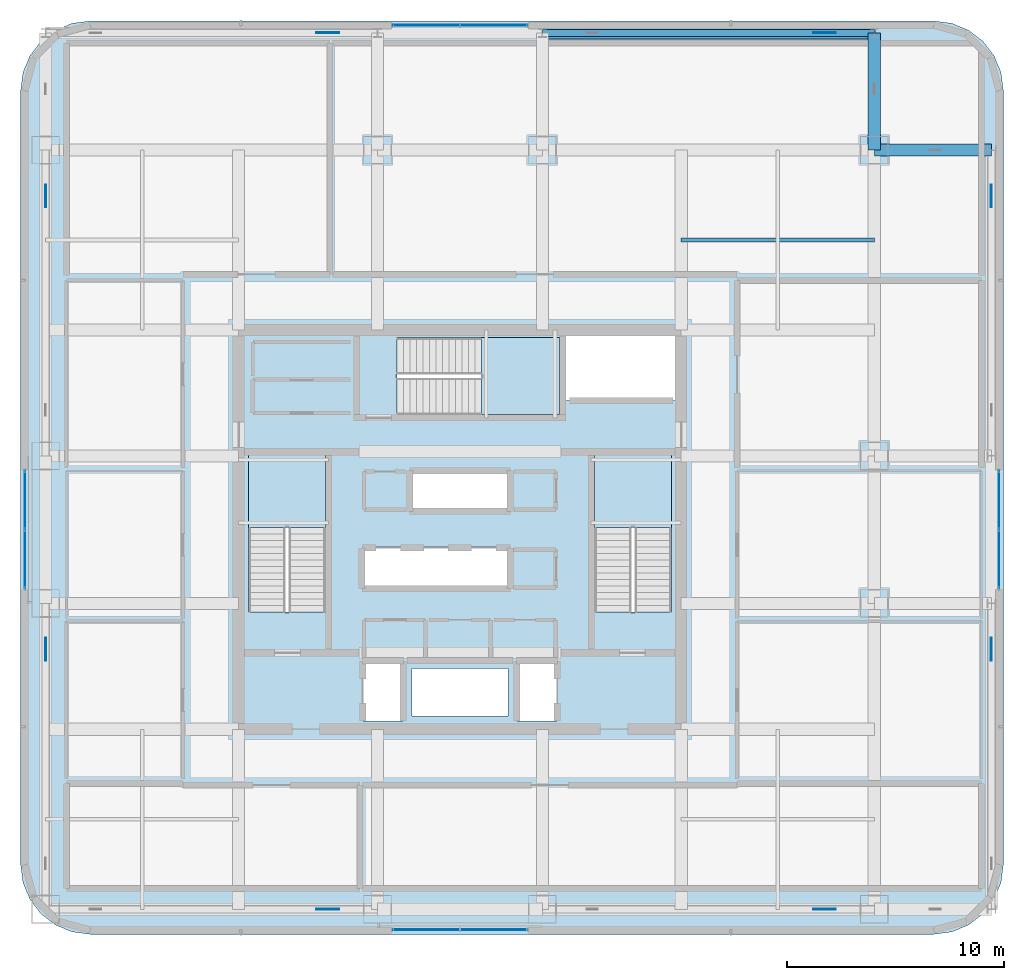
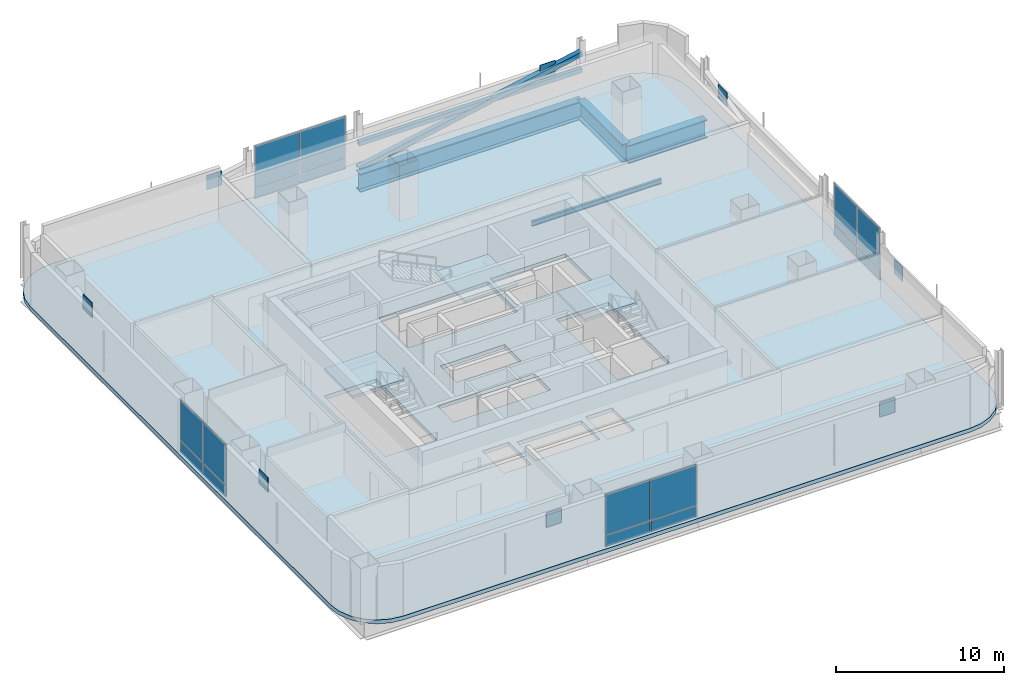
# One storey, part 12 of 30: 24 plates, 4 beams, 4 slabs, 2 members, 7 elements without a shape of their own.
"""IFC4 building model written with IfcOpenShell, lengths in metres."""

import ifcopenshell
import ifcopenshell.guid

model = None  # the IFC model being written
_history = None  # IfcOwnerHistory: only IFC2X3 demands one
_inside = {}  # id of a spatial element -> (the spatial element, [elements in it])
_under = {}  # id of a project, library or spatial element -> (it, [spatial elements below it])
_declared = {}  # id of a project -> (the project, [libraries it declares])
_typed = {}  # id of a type object -> (the type object, [elements of that type])
_made_of = {}  # id of a material, layer set ... -> (it, [elements and type objects made of it])


def new_model(schema):
    """Start an empty IFC model of exactly this schema.

    Asked for "IFC4X3", IfcOpenShell would pick the latest addendum, in which some entities
    have other attributes; the version numbers below select the first issue.
    IFC2X3 requires an IfcOwnerHistory on every rooted entity: one is made here for all.
    """
    global model, _history
    if schema == "IFC4X3":
        model = ifcopenshell.file(schema_version=(4, 3, 0, 0))
    else:
        model = ifcopenshell.file(schema=schema)
    _inside.clear()
    _under.clear()
    _declared.clear()
    _typed.clear()
    _made_of.clear()
    _history = None
    if model.schema == "IFC2X3":
        org = make("IfcOrganization", Name="unknown")
        user = make(
            "IfcPersonAndOrganization",
            ThePerson=make("IfcPerson", FamilyName="unknown"),
            TheOrganization=org,
        )
        app = make(
            "IfcApplication",
            ApplicationDeveloper=org,
            Version="unknown",
            ApplicationFullName="unknown",
            ApplicationIdentifier="unknown",
        )
        _history = make(
            "IfcOwnerHistory",
            OwningUser=user,
            OwningApplication=app,
            ChangeAction="ADDED",
            CreationDate=0,
        )
    return model


def make(cls, **values):
    """One entity of the class cls with the attributes given. An attribute that is None is left unset."""
    return model.create_entity(
        cls, **{name: value for name, value in values.items() if value is not None}
    )


def rooted(cls, **values):
    """An entity with a GlobalId (a new one), such as an element, a storey or a relation."""
    return make(cls, GlobalId=ifcopenshell.guid.new(), OwnerHistory=_history, **values)


def si_unit(unit_type, name, prefix=None):
    """IfcSIUnit, for example si_unit("LENGTHUNIT", "METRE", prefix="MILLI")."""
    return make("IfcSIUnit", UnitType=unit_type, Prefix=prefix, Name=name)


def assignment(units):
    """IfcUnitAssignment: the units of a project."""
    return None if units is None else make("IfcUnitAssignment", Units=units)


def point(xyz):
    """IfcCartesianPoint."""
    return None if xyz is None else make("IfcCartesianPoint", Coordinates=xyz)


def direction(xyz):
    """IfcDirection."""
    return None if xyz is None else make("IfcDirection", DirectionRatios=xyz)


def frame(location, z_axis=None, x_axis=None):
    """IfcAxis2Placement3D, a coordinate frame: its origin and axes. An axis left out is left unset."""
    return make(
        "IfcAxis2Placement3D",
        Location=point(location),
        Axis=direction(z_axis),
        RefDirection=direction(x_axis),
    )


def frame_2d(location, x_axis=None):
    """IfcAxis2Placement2D, a coordinate frame in the plane: its origin and x axis."""
    return make(
        "IfcAxis2Placement2D", Location=point(location), RefDirection=direction(x_axis)
    )


def origin():
    """The frame at (0, 0, 0) with its axes left unset."""
    return frame((0.0, 0.0, 0.0))


def origin_2d():
    """The frame at (0, 0) in the plane with its x axis left unset."""
    return frame_2d((0.0, 0.0))


def place(relative_to, where):
    """IfcLocalPlacement: puts the frame where relative to a parent placement (None: the world)."""
    return make(
        "IfcLocalPlacement", PlacementRelTo=relative_to, RelativePlacement=where
    )


def context(
    kind, dimensions, precision=None, world=None, true_north=None, identifier=None
):
    """IfcGeometricRepresentationContext, for example the 3D "Model" context."""
    return make(
        "IfcGeometricRepresentationContext",
        ContextIdentifier=identifier,
        ContextType=kind,
        CoordinateSpaceDimension=dimensions,
        Precision=precision,
        WorldCoordinateSystem=world,
        TrueNorth=true_north,
    )


def subcontext(parent, identifier, kind, view, scale=None):
    """IfcGeometricRepresentationSubContext, for example "Body" below "Model"."""
    return make(
        "IfcGeometricRepresentationSubContext",
        ContextIdentifier=identifier,
        ContextType=kind,
        ParentContext=parent,
        TargetScale=scale,
        TargetView=view,
    )


def project(units=None, contexts=None):
    """IfcProject with its units and contexts."""
    return rooted(
        "IfcProject",
        Name="project",
        RepresentationContexts=contexts,
        UnitsInContext=assignment(units),
    )


def spatial(cls, under=None, at=None, **own):
    """A site, building, storey or space (cls), placed at a placement, below another one or the project."""
    s = rooted(cls, ObjectPlacement=at, **own)
    if under is not None:
        _under.setdefault(under.id(), (under, []))[1].append(s)
    return s


def polyline(points):
    """IfcPolyline through the points."""
    return make("IfcPolyline", Points=[point(p) for p in points])


def profile(cls, at=None, kind="AREA", **sizes):
    """A parametric profile (cls). Its sizes go by their IFC names, for example OverallWidth=200.0."""
    return make(cls, ProfileType=kind, Position=at, **sizes)


def rectangle(**sizes):
    """IfcRectangleProfileDef."""
    return profile("IfcRectangleProfileDef", **sizes)


def hollow_rectangle(**sizes):
    """IfcRectangleHollowProfileDef."""
    return profile("IfcRectangleHollowProfileDef", **sizes)


def i_section(**sizes):
    """IfcIShapeProfileDef."""
    return profile("IfcIShapeProfileDef", **sizes)


def outline(outer, holes=None, kind="AREA"):
    """IfcArbitraryClosedProfileDef: a profile drawn as a closed curve; with holes, ...WithVoids."""
    if holes is None:
        return make("IfcArbitraryClosedProfileDef", ProfileType=kind, OuterCurve=outer)
    return make(
        "IfcArbitraryProfileDefWithVoids",
        ProfileType=kind,
        OuterCurve=outer,
        InnerCurves=holes,
    )


def extrude(swept, where, along, depth):
    """IfcExtrudedAreaSolid: the profile swept, set in the frame where, extruded along a direction by depth."""
    return make(
        "IfcExtrudedAreaSolid",
        SweptArea=swept,
        Position=where,
        ExtrudedDirection=direction(along),
        Depth=depth,
    )


def shape(context_of_items, identifier, shape_type, items):
    """IfcShapeRepresentation: the items that make up one representation, for example the "Body"."""
    return make(
        "IfcShapeRepresentation",
        ContextOfItems=context_of_items,
        RepresentationIdentifier=identifier,
        RepresentationType=shape_type,
        Items=items,
    )


def material(Name=None, Category=None):
    """IfcMaterial."""
    return make("IfcMaterial", Name=Name, Category=Category)


def layer(
    of_material, thickness, ventilated=None, Name=None, Category=None, Priority=None
):
    """IfcMaterialLayer: one layer of a wall or slab, of a material (None: an air gap)."""
    return make(
        "IfcMaterialLayer",
        Material=of_material,
        LayerThickness=thickness,
        IsVentilated=ventilated,
        Name=Name,
        Category=Category,
        Priority=Priority,
    )


def layer_set(layers, Name=None):
    """IfcMaterialLayerSet."""
    return make("IfcMaterialLayerSet", MaterialLayers=layers, LayerSetName=Name)


def material_profile(
    of_material, cross_section, Name=None, Category=None, Priority=None
):
    """IfcMaterialProfile: a cross section and its material."""
    return make(
        "IfcMaterialProfile",
        Name=Name,
        Material=of_material,
        Profile=cross_section,
        Priority=Priority,
        Category=Category,
    )


def profile_set(profiles, Name=None, composite=None):
    """IfcMaterialProfileSet."""
    return make(
        "IfcMaterialProfileSet",
        Name=Name,
        MaterialProfiles=profiles,
        CompositeProfile=composite,
    )


def made_of(thing, what):
    """Note that an element or type object is made of a material, layer set ...; save() writes the relation."""
    if what is not None:
        _made_of.setdefault(what.id(), (what, []))[1].append(thing)
    return thing


def type_object(cls, material=None, **own):
    """A type object (cls), such as IfcWallType, which elements share."""
    return made_of(rooted(cls, **own), material)


def element(
    cls,
    number,
    at=None,
    inside=None,
    cuts=None,
    type_object=None,
    material=None,
    context=None,
    identifier="Body",
    shape_type=None,
    held_by="IfcProductDefinitionShape",
    body=None,
    shapes=None,
    **own,
):
    """One element of the class cls, such as IfcWall. Its Tag is "e" and its number.

    at: its placement. inside: the storey or other place that contains it. cuts: it is an
    opening in that element (IfcRelVoidsElement). A single representation is given by context,
    identifier, shape_type and body (its items); several are given by shapes. held_by: the class
    of the entity that holds the representations. save() writes the other relations.
    """
    e = rooted(cls, Tag="e%d" % number, ObjectPlacement=at, **own)
    if body is not None:
        shapes = [shape(context, identifier, shape_type, body)]
    if shapes is not None:
        e.Representation = make(held_by, Representations=shapes)
    if inside is not None:
        _inside.setdefault(inside.id(), (inside, []))[1].append(e)
    if cuts is not None:
        rooted(
            "IfcRelVoidsElement", RelatingBuildingElement=cuts, RelatedOpeningElement=e
        )
    if type_object is not None:
        _typed.setdefault(type_object.id(), (type_object, []))[1].append(e)
    return made_of(e, material)


def aggregate(whole, parts):
    """IfcRelAggregates: a whole, such as a stair, and the parts it consists of."""
    return rooted("IfcRelAggregates", RelatingObject=whole, RelatedObjects=parts)


def save(model, path):
    """Write the relations noted so far, then the file.

    IfcRelAggregates (storeys below a building ...), IfcRelContainedInSpatialStructure (elements
    in a storey), IfcRelDefinesByType, IfcRelAssociatesMaterial and IfcRelDeclares: one each for
    every whole, place, type object, material and project.
    """
    for whole, parts in _under.values():
        aggregate(whole, parts)
    for where, things in _inside.values():
        rooted(
            "IfcRelContainedInSpatialStructure",
            RelatedElements=things,
            RelatingStructure=where,
        )
    for kind, things in _typed.values():
        rooted("IfcRelDefinesByType", RelatedObjects=things, RelatingType=kind)
    for what, things in _made_of.values():
        rooted("IfcRelAssociatesMaterial", RelatedObjects=things, RelatingMaterial=what)
    for by, libraries in _declared.values():
        rooted("IfcRelDeclares", RelatingContext=by, RelatedDefinitions=libraries)
    model.write(path)


model = new_model("IFC4")

# Units and contexts
model_context = context("Model", 3, precision=1e-05, world=origin(), true_north=direction((0.0, 1.0)))
body_context = subcontext(model_context, "Body", "Model", "MODEL_VIEW")
ifc_project = project(units=[si_unit("LENGTHUNIT", "METRE"), si_unit("AREAUNIT", "SQUARE_METRE"), si_unit("VOLUMEUNIT", "CUBIC_METRE"), si_unit("PLANEANGLEUNIT", "RADIAN"), si_unit("MASSUNIT", "GRAM", prefix="KILO")], contexts=[model_context])

# Site, building, storey
site_placement = place(None, origin())
site = spatial("IfcSite", under=ifc_project, at=site_placement, CompositionType="ELEMENT")
building_placement = place(site_placement, origin())
building = spatial("IfcBuilding", under=site, at=building_placement, Name="Punatoya Terracotta Tower", CompositionType="ELEMENT")
storey_placement = place(building_placement, frame((0.0, 0.0, 251.39990234375)))
storey = spatial("IfcBuildingStorey", under=building, at=storey_placement, Name="L59", CompositionType="ELEMENT", Elevation=251.39990234375)

# Beams
ifc_material_1 = material(Name="Steel S355", Category="steel")
ifc_material_profile_1 = material_profile(ifc_material_1, i_section(OverallWidth=0.169921875, OverallDepth=0.360107421875, WebThickness=0.008056640625, FlangeThickness=0.0126953125, FilletRadius=0.01806640625, at=origin_2d()))
ifc_profile_set_1 = profile_set([ifc_material_profile_1], Name="Steel S355")
beam_type_1 = type_object("IfcBeamType", Name="BM-SEC-360", PredefinedType="JOIST", material=ifc_profile_set_1)
beam_1_placement = place(storey_placement, frame((10.199951171875, 13.35009765625, -0.4599609375), z_axis=(1.0, 0.0, 0.0), x_axis=(0.0, 1.0, 0.0)))
element("IfcBeam", 1, at=beam_1_placement, inside=storey, type_object=beam_type_1, Name="BM-L59-SJN-2", PredefinedType="JOIST", context=body_context, shape_type="SweptSolid", body=[
    extrude(i_section(OverallWidth=0.169921875, OverallDepth=0.360107421875, WebThickness=0.008056640625, FlangeThickness=0.0126953125, FilletRadius=0.01806640625, at=origin_2d()), origin(), (0.0, 0.0, 1.0), 8.900146484375),
])
ifc_material_2 = material(Name="Steel S460", Category="steel")
ifc_material_profile_2 = material_profile(ifc_material_2, i_section(OverallWidth=0.56005859375, OverallDepth=1.320068359375, WebThickness=0.035888671875, FlangeThickness=0.054931640625, FilletRadius=0.01806640625, at=origin_2d()))
ifc_profile_set_2 = profile_set([ifc_material_profile_2], Name="Steel S460")
beam_type_2 = type_object("IfcBeamType", Name="BM-TG-BLK", PredefinedType="BEAM", material=ifc_profile_set_2)
for number, where, z_axis, x_axis, name in (
    (2, (19.10009765625, 17.5, -0.93994140625), (1.0, 0.0, 0.0), (0.0, 1.0, 0.0), "BM-L59-CANT-E4"),
    (3, (19.10009765625, 17.5, -0.93994140625), (0.0, 1.0, 0.0), (-1.0, 0.0, 0.0), "BM-L59-CANT-N4"),
):
    element("IfcBeam", number, at=place(storey_placement, frame(where, z_axis=z_axis, x_axis=x_axis)), inside=storey, type_object=beam_type_2, Name=name, PredefinedType="BEAM", context=body_context, shape_type="SweptSolid", body=[
        extrude(i_section(OverallWidth=0.56005859375, OverallDepth=1.320068359375, WebThickness=0.035888671875, FlangeThickness=0.054931640625, FilletRadius=0.01806640625, at=origin_2d()), origin(), (0.0, 0.0, 1.0), 5.39990234375),
    ])
beam_2_placement = place(storey_placement, frame((3.800048828125, 22.89990234375, -0.93994140625), z_axis=(1.0, 0.0, 0.0), x_axis=(0.0, 1.0, 0.0)))
element("IfcBeam", 4, at=beam_2_placement, inside=storey, type_object=beam_type_2, Name="BM-L59-PER-N3", PredefinedType="BEAM", context=body_context, shape_type="SweptSolid", body=[
    extrude(i_section(OverallWidth=0.56005859375, OverallDepth=1.320068359375, WebThickness=0.035888671875, FlangeThickness=0.054931640625, FilletRadius=0.01806640625, at=origin_2d()), origin(), (0.0, 0.0, 1.0), 15.300048828125),
])

# Members
ifc_material_profile_3 = material_profile(ifc_material_2, hollow_rectangle(XDim=0.320068359375, YDim=0.320068359375, WallThickness=0.01806640625, at=origin_2d()))
ifc_profile_set_3 = profile_set([ifc_material_profile_3], Name="Steel S460")
member_type_1 = type_object("IfcMemberType", Name="MEM-CHD-320", PredefinedType="CHORD", material=ifc_profile_set_3)
member_1_placement = place(storey_placement, frame((3.800048828125, 22.89990234375, 1.85009765625), z_axis=(1.0, 0.0, 0.0), x_axis=(0.0, 1.0, 0.0)))
element("IfcMember", 5, at=member_1_placement, inside=storey, type_object=member_type_1, Name="L59 Exoskeleton Belt Truss Tie Chord N3", PredefinedType="CHORD", context=body_context, shape_type="SweptSolid", body=[
    extrude(hollow_rectangle(XDim=0.320068359375, YDim=0.320068359375, WallThickness=0.01806640625, at=origin_2d()), origin(), (0.0, 0.0, 1.0), 15.300048828125),
])
ifc_material_profile_4 = material_profile(ifc_material_2, hollow_rectangle(XDim=0.35009765625, YDim=0.35009765625, WallThickness=0.01806640625, at=origin_2d()))
ifc_profile_set_4 = profile_set([ifc_material_profile_4], Name="Steel S460")
member_type_2 = type_object("IfcMemberType", Name="MEM-EXO-350", PredefinedType="BRACE", material=ifc_profile_set_4)
member_2_placement = place(storey_placement, frame((3.800048828125, 22.89990234375, 0.02001953125), z_axis=(0.980948581988, 0.0, 0.194267546172), x_axis=(0.0, 1.0, 0.0)))
element("IfcMember", 6, at=member_2_placement, inside=storey, type_object=member_type_2, Name="L59 Exoskeleton Belt Brace N3", PredefinedType="BRACE", context=body_context, shape_type="SweptSolid", body=[
    extrude(hollow_rectangle(XDim=0.35009765625, YDim=0.35009765625, WallThickness=0.01806640625, at=origin_2d()), origin(), (0.0, 0.0, 1.0), 15.59716796875),
])

# Curtain wall, plates
ifc_material_3 = material(Name="Aluminium 6063-T6 + Double Low-E Glass", Category="aluminium")
curtain_wall_type = type_object("IfcCurtainWallType", Name="CW-M3", PredefinedType="NOTDEFINED", material=ifc_material_3)
curtain_wall_1_placement = place(storey_placement, origin())
curtain_wall_1 = element("IfcCurtainWall", 7, at=curtain_wall_1_placement, inside=storey, type_object=curtain_wall_type, Name="L59 Curtain Wall CW-L59-S01-1", PredefinedType="NOTDEFINED")
ifc_material_4 = material(Name="Double Low-E Acoustic Vision Glass", Category="glass")
ifc_layer_1 = layer(ifc_material_4, 0.031982421875)
ifc_layer_set_1 = layer_set([ifc_layer_1], Name="Double Low-E Acoustic Vision Glass")
plate_type_1 = type_object("IfcPlateType", Name="PLT-GLZ-32", PredefinedType="CURTAIN_PANEL", material=ifc_layer_set_1)
plate_1_placement = place(storey_placement, frame((-1.574951171875, -18.449951171875, 0.89013671875), z_axis=(0.0, 0.0, 1.0), x_axis=(1.0, 0.0, 0.0)))
plate_1 = element("IfcPlate", 8, at=plate_1_placement, type_object=plate_type_1, Name="CW-L59-S01-1 Vision Glass Panel 1", PredefinedType="CURTAIN_PANEL", context=body_context, shape_type="SweptSolid", body=[
    extrude(rectangle(XDim=3.06494140625, YDim=0.031982421875, at=origin_2d()), origin(), (0.0, 0.0, 1.0), 2.919921875),
])
plate_2_placement = place(storey_placement, frame((1.574951171875, -18.449951171875, 0.89013671875), z_axis=(0.0, 0.0, 1.0), x_axis=(1.0, 0.0, 0.0)))
plate_2 = element("IfcPlate", 9, at=plate_2_placement, type_object=plate_type_1, Name="CW-L59-S01-1 Vision Glass Panel 2", PredefinedType="CURTAIN_PANEL", context=body_context, shape_type="SweptSolid", body=[
    extrude(rectangle(XDim=3.06494140625, YDim=0.031982421875, at=origin_2d()), origin(), (0.0, 0.0, 1.0), 2.919921875),
])

curtain_wall_2_placement = place(storey_placement, origin())
curtain_wall_2 = element("IfcCurtainWall", 10, at=curtain_wall_2_placement, inside=storey, type_object=curtain_wall_type, Name="L59 Curtain Wall CW-L59-E05-1", PredefinedType="NOTDEFINED")
plate_3_placement = place(storey_placement, frame((24.85009765625, -1.375, 0.89013671875), z_axis=(0.0, 0.0, 1.0), x_axis=(0.0, 1.0, 0.0)))
plate_3 = element("IfcPlate", 11, at=plate_3_placement, type_object=plate_type_1, Name="CW-L59-E05-1 Vision Glass Panel 1", PredefinedType="CURTAIN_PANEL", context=body_context, shape_type="SweptSolid", body=[
    extrude(rectangle(XDim=2.6650390625, YDim=0.031982421875, at=origin_2d()), origin(), (0.0, 0.0, 1.0), 2.919921875),
])
plate_4_placement = place(storey_placement, frame((24.85009765625, 1.375, 0.89013671875), z_axis=(0.0, 0.0, 1.0), x_axis=(0.0, 1.0, 0.0)))
plate_4 = element("IfcPlate", 12, at=plate_4_placement, type_object=plate_type_1, Name="CW-L59-E05-1 Vision Glass Panel 2", PredefinedType="CURTAIN_PANEL", context=body_context, shape_type="SweptSolid", body=[
    extrude(rectangle(XDim=2.6650390625, YDim=0.031982421875, at=origin_2d()), origin(), (0.0, 0.0, 1.0), 2.919921875),
])

curtain_wall_3_placement = place(storey_placement, origin())
curtain_wall_3 = element("IfcCurtainWall", 13, at=curtain_wall_3_placement, inside=storey, type_object=curtain_wall_type, Name="L59 Curtain Wall CW-L59-N09-1", PredefinedType="NOTDEFINED")
plate_5_placement = place(storey_placement, frame((1.574951171875, 23.25, 0.89013671875), z_axis=(0.0, 0.0, 1.0), x_axis=(-1.0, 0.0, 0.0)))
plate_5 = element("IfcPlate", 14, at=plate_5_placement, type_object=plate_type_1, Name="CW-L59-N09-1 Vision Glass Panel 1", PredefinedType="CURTAIN_PANEL", context=body_context, shape_type="SweptSolid", body=[
    extrude(rectangle(XDim=3.06494140625, YDim=0.031982421875, at=origin_2d()), origin(), (0.0, 0.0, 1.0), 2.919921875),
])
plate_6_placement = place(storey_placement, frame((-1.574951171875, 23.25, 0.89013671875), z_axis=(0.0, 0.0, 1.0), x_axis=(-1.0, 0.0, 0.0)))
plate_6 = element("IfcPlate", 15, at=plate_6_placement, type_object=plate_type_1, Name="CW-L59-N09-1 Vision Glass Panel 2", PredefinedType="CURTAIN_PANEL", context=body_context, shape_type="SweptSolid", body=[
    extrude(rectangle(XDim=3.06494140625, YDim=0.031982421875, at=origin_2d()), origin(), (0.0, 0.0, 1.0), 2.919921875),
])

curtain_wall_4_placement = place(storey_placement, origin())
curtain_wall_4 = element("IfcCurtainWall", 16, at=curtain_wall_4_placement, inside=storey, type_object=curtain_wall_type, Name="L59 Curtain Wall CW-L59-W13-1", PredefinedType="NOTDEFINED")
plate_7_placement = place(storey_placement, frame((-20.050048828125, 1.375, 0.89013671875), z_axis=(0.0, 0.0, 1.0), x_axis=(0.0, -1.0, 0.0)))
plate_7 = element("IfcPlate", 17, at=plate_7_placement, type_object=plate_type_1, Name="CW-L59-W13-1 Vision Glass Panel 1", PredefinedType="CURTAIN_PANEL", context=body_context, shape_type="SweptSolid", body=[
    extrude(rectangle(XDim=2.6650390625, YDim=0.031982421875, at=origin_2d()), origin(), (0.0, 0.0, 1.0), 2.919921875),
])
plate_8_placement = place(storey_placement, frame((-20.050048828125, -1.375, 0.89013671875), z_axis=(0.0, 0.0, 1.0), x_axis=(0.0, -1.0, 0.0)))
plate_8 = element("IfcPlate", 18, at=plate_8_placement, type_object=plate_type_1, Name="CW-L59-W13-1 Vision Glass Panel 2", PredefinedType="CURTAIN_PANEL", context=body_context, shape_type="SweptSolid", body=[
    extrude(rectangle(XDim=2.6650390625, YDim=0.031982421875, at=origin_2d()), origin(), (0.0, 0.0, 1.0), 2.919921875),
])

# Plates
ifc_layer_2 = layer(ifc_material_2, 0.0400390625)
ifc_layer_set_2 = layer_set([ifc_layer_2], Name="Steel S460")
plate_type_2 = type_object("IfcPlateType", Name="PLT-GUS-40", PredefinedType="USERDEFINED", material=ifc_layer_set_2)
for number, where, z_axis, x_axis, name in (
    (19, (-6.094970703125, -17.5, 2.07080078125), (0.0, 0.0, 1.0), (1.0, 0.0, 0.0), "L59 Exoskeleton Node Gusset Plate S1"),
    (20, (16.804931640625, -17.5, 2.07080078125), (0.0, 0.0, 1.0), (1.0, 0.0, 0.0), "L59 Exoskeleton Node Gusset Plate S3"),
    (21, (-6.094970703125, 22.89990234375, 2.07080078125), (0.0, 0.0, 1.0), (1.0, 0.0, 0.0), "L59 Exoskeleton Node Gusset Plate N1"),
    (22, (16.804931640625, 22.89990234375, 2.07080078125), (0.0, 0.0, 1.0), (1.0, 0.0, 0.0), "L59 Exoskeleton Node Gusset Plate N3"),
    (23, (-19.10009765625, -5.514892578125, 2.07080078125), (0.0, 0.0, 1.0), (0.0, 1.0, 0.0), "L59 Exoskeleton Node Gusset Plate W1"),
    (24, (-19.10009765625, 15.385009765625, 2.07080078125), (0.0, 0.0, 1.0), (0.0, 1.0, 0.0), "L59 Exoskeleton Node Gusset Plate W3"),
    (25, (24.5, -5.514892578125, 2.07080078125), (0.0, 0.0, 1.0), (0.0, 1.0, 0.0), "L59 Exoskeleton Node Gusset Plate E1"),
    (26, (24.5, 15.385009765625, 2.07080078125), (0.0, 0.0, 1.0), (0.0, 1.0, 0.0), "L59 Exoskeleton Node Gusset Plate E3"),
):
    element("IfcPlate", number, at=place(storey_placement, frame(where, z_axis=z_axis, x_axis=x_axis)), inside=storey, type_object=plate_type_2, Name=name, ObjectType="GUSSET_PLATE", PredefinedType="USERDEFINED", context=body_context, shape_type="SweptSolid", body=[
        extrude(rectangle(XDim=1.050048828125, YDim=0.0400390625, at=origin_2d()), origin(), (0.0, 0.0, 1.0), 1.050048828125),
    ])

# Plate
ifc_material_5 = material(Name="Insulated Terracotta-Backed Spandrel Panel", Category="masonry")
ifc_layer_3 = layer(ifc_material_5, 0.044921875)
ifc_layer_set_3 = layer_set([ifc_layer_3], Name="Insulated Terracotta-Backed Spandrel Panel")
plate_type_3 = type_object("IfcPlateType", Name="PLT-SPN-45", PredefinedType="CURTAIN_PANEL", material=ifc_layer_set_3)
plate_9_placement = place(storey_placement, frame((-1.574951171875, -18.449951171875, 0.0400390625), z_axis=(0.0, 0.0, 1.0), x_axis=(1.0, 0.0, 0.0)))
plate_9 = element("IfcPlate", 27, at=plate_9_placement, type_object=plate_type_3, Name="CW-L59-S01-1 Terracotta Spandrel Panel 1", PredefinedType="CURTAIN_PANEL", context=body_context, shape_type="SweptSolid", body=[
    extrude(rectangle(XDim=3.06494140625, YDim=0.044921875, at=origin_2d()), origin(), (0.0, 0.0, 1.0), 0.77490234375),
])

plate_10_placement = place(storey_placement, frame((1.574951171875, -18.449951171875, 0.0400390625), z_axis=(0.0, 0.0, 1.0), x_axis=(1.0, 0.0, 0.0)))
plate_10 = element("IfcPlate", 28, at=plate_10_placement, type_object=plate_type_3, Name="CW-L59-S01-1 Terracotta Spandrel Panel 2", PredefinedType="CURTAIN_PANEL", context=body_context, shape_type="SweptSolid", body=[
    extrude(rectangle(XDim=3.06494140625, YDim=0.044921875, at=origin_2d()), origin(), (0.0, 0.0, 1.0), 0.77490234375),
])

aggregate(curtain_wall_1, [plate_9, plate_1, plate_10, plate_2])

plate_11_placement = place(storey_placement, frame((24.85009765625, -1.375, 0.0400390625), z_axis=(0.0, 0.0, 1.0), x_axis=(0.0, 1.0, 0.0)))
plate_11 = element("IfcPlate", 29, at=plate_11_placement, type_object=plate_type_3, Name="CW-L59-E05-1 Terracotta Spandrel Panel 1", PredefinedType="CURTAIN_PANEL", context=body_context, shape_type="SweptSolid", body=[
    extrude(rectangle(XDim=2.6650390625, YDim=0.044921875, at=origin_2d()), origin(), (0.0, 0.0, 1.0), 0.77490234375),
])

plate_12_placement = place(storey_placement, frame((24.85009765625, 1.375, 0.0400390625), z_axis=(0.0, 0.0, 1.0), x_axis=(0.0, 1.0, 0.0)))
plate_12 = element("IfcPlate", 30, at=plate_12_placement, type_object=plate_type_3, Name="CW-L59-E05-1 Terracotta Spandrel Panel 2", PredefinedType="CURTAIN_PANEL", context=body_context, shape_type="SweptSolid", body=[
    extrude(rectangle(XDim=2.6650390625, YDim=0.044921875, at=origin_2d()), origin(), (0.0, 0.0, 1.0), 0.77490234375),
])

aggregate(curtain_wall_2, [plate_11, plate_3, plate_12, plate_4])

plate_13_placement = place(storey_placement, frame((1.574951171875, 23.25, 0.0400390625), z_axis=(0.0, 0.0, 1.0), x_axis=(-1.0, 0.0, 0.0)))
plate_13 = element("IfcPlate", 31, at=plate_13_placement, type_object=plate_type_3, Name="CW-L59-N09-1 Terracotta Spandrel Panel 1", PredefinedType="CURTAIN_PANEL", context=body_context, shape_type="SweptSolid", body=[
    extrude(rectangle(XDim=3.06494140625, YDim=0.044921875, at=origin_2d()), origin(), (0.0, 0.0, 1.0), 0.77490234375),
])

plate_14_placement = place(storey_placement, frame((-1.574951171875, 23.25, 0.0400390625), z_axis=(0.0, 0.0, 1.0), x_axis=(-1.0, 0.0, 0.0)))
plate_14 = element("IfcPlate", 32, at=plate_14_placement, type_object=plate_type_3, Name="CW-L59-N09-1 Terracotta Spandrel Panel 2", PredefinedType="CURTAIN_PANEL", context=body_context, shape_type="SweptSolid", body=[
    extrude(rectangle(XDim=3.06494140625, YDim=0.044921875, at=origin_2d()), origin(), (0.0, 0.0, 1.0), 0.77490234375),
])

aggregate(curtain_wall_3, [plate_13, plate_5, plate_14, plate_6])

plate_15_placement = place(storey_placement, frame((-20.050048828125, 1.375, 0.0400390625), z_axis=(0.0, 0.0, 1.0), x_axis=(0.0, -1.0, 0.0)))
plate_15 = element("IfcPlate", 33, at=plate_15_placement, type_object=plate_type_3, Name="CW-L59-W13-1 Terracotta Spandrel Panel 1", PredefinedType="CURTAIN_PANEL", context=body_context, shape_type="SweptSolid", body=[
    extrude(rectangle(XDim=2.6650390625, YDim=0.044921875, at=origin_2d()), origin(), (0.0, 0.0, 1.0), 0.77490234375),
])

plate_16_placement = place(storey_placement, frame((-20.050048828125, -1.375, 0.0400390625), z_axis=(0.0, 0.0, 1.0), x_axis=(0.0, -1.0, 0.0)))
plate_16 = element("IfcPlate", 34, at=plate_16_placement, type_object=plate_type_3, Name="CW-L59-W13-1 Terracotta Spandrel Panel 2", PredefinedType="CURTAIN_PANEL", context=body_context, shape_type="SweptSolid", body=[
    extrude(rectangle(XDim=2.6650390625, YDim=0.044921875, at=origin_2d()), origin(), (0.0, 0.0, 1.0), 0.77490234375),
])

aggregate(curtain_wall_4, [plate_15, plate_7, plate_16, plate_8])

# Stair, slab
ifc_material_6 = material(Name="Concrete C40/50", Category="concrete")
stair_type_1 = type_object("IfcStairType", Name="STR-TER-1450", PredefinedType="HALF_TURN_STAIR", material=ifc_material_6)
stair_1_placement = place(storey_placement, origin())
stair_1 = element("IfcStair", 35, at=stair_1_placement, inside=storey, type_object=stair_type_1, Name="L59 Protected Core Exit Stair ST-3", PredefinedType="HALF_TURN_STAIR")
ifc_layer_4 = layer(ifc_material_6, 0.1650390625)
ifc_layer_set_4 = layer_set([ifc_layer_4], Name="Concrete C40/50")
slab_type_1 = type_object("IfcSlabType", Name="SLB-LND-165", PredefinedType="LANDING", material=ifc_layer_set_4)
slab_1_placement = place(storey_placement, frame((0.0, 0.0, 1.8251953125)))
slab_1 = element("IfcSlab", 36, at=slab_1_placement, type_object=slab_type_1, Name="ST-3 landing 1", PredefinedType="LANDING", context=body_context, shape_type="SweptSolid", body=[
    extrude(outline(polyline([(1.0, 5.300048828125), (4.60009765625, 5.300048828125), (4.60009765625, 8.85009765625), (1.0, 8.85009765625), (1.0, 5.300048828125)])), origin(), (0.0, 0.0, 1.0), 0.199951171875),
])
aggregate(stair_1, [slab_1])

stair_type_2 = type_object("IfcStairType", Name="STR-CORE-1550", PredefinedType="HALF_TURN_STAIR", material=ifc_material_6)
stair_2_placement = place(storey_placement, origin())
stair_2 = element("IfcStair", 37, at=stair_2_placement, inside=storey, type_object=stair_type_2, Name="L59 Protected Core Exit Stair ST-1", PredefinedType="HALF_TURN_STAIR")
ifc_layer_5 = layer(ifc_material_6, 0.179931640625)
ifc_layer_set_5 = layer_set([ifc_layer_5], Name="Concrete C40/50")
slab_type_2 = type_object("IfcSlabType", Name="SLB-LND-180", PredefinedType="LANDING", material=ifc_layer_set_5)
slab_2_placement = place(storey_placement, frame((0.0, 0.0, 1.8251953125)))
slab_2 = element("IfcSlab", 38, at=slab_2_placement, type_object=slab_type_2, Name="ST-1 landing 1", PredefinedType="LANDING", context=body_context, shape_type="SweptSolid", body=[
    extrude(outline(polyline([(-6.199951171875, 0.10009765625), (-6.199951171875, 3.449951171875), (-9.75, 3.449951171875), (-9.75, 0.10009765625), (-6.199951171875, 0.10009765625)])), origin(), (0.0, 0.0, 1.0), 0.199951171875),
])
aggregate(stair_2, [slab_2])

stair_type_3 = type_object("IfcStairType", Name="STR-LOB-1650", PredefinedType="HALF_TURN_STAIR", material=ifc_material_6)
stair_3_placement = place(storey_placement, origin())
stair_3 = element("IfcStair", 39, at=stair_3_placement, inside=storey, type_object=stair_type_3, Name="L59 Protected Core Exit Stair ST-2", PredefinedType="HALF_TURN_STAIR")
slab_3_placement = place(storey_placement, frame((0.0, 0.0, 1.8251953125)))
slab_3 = element("IfcSlab", 40, at=slab_3_placement, type_object=slab_type_2, Name="ST-2 landing 1", PredefinedType="LANDING", context=body_context, shape_type="SweptSolid", body=[
    extrude(outline(polyline([(9.75, 0.10009765625), (9.75, 3.449951171875), (6.199951171875, 3.449951171875), (6.199951171875, 0.10009765625), (9.75, 0.10009765625)])), origin(), (0.0, 0.0, 1.0), 0.199951171875),
])
aggregate(stair_3, [slab_3])

# Slab
ifc_layer_6 = layer(ifc_material_6, 0.280029296875)
ifc_layer_set_6 = layer_set([ifc_layer_6], Name="Concrete C40/50")
slab_type_3 = type_object("IfcSlabType", Name="SLB-POD-280", PredefinedType="FLOOR", material=ifc_layer_set_6)
slab_4_placement = place(storey_placement, frame((0.0, 0.0, -0.27978515625)))
element("IfcSlab", 41, at=slab_4_placement, inside=storey, type_object=slab_type_3, Name="L59 Structural Floor Slab", PredefinedType="FLOOR", context=body_context, shape_type="SweptSolid", body=[
    extrude(outline(polyline([(-17.050048828125, -18.64990234375), (-17.878173828125, -18.541015625), (-18.64990234375, -18.22119140625), (-19.312744140625, -17.712646484375), (-19.8212890625, -17.050048828125), (-20.14111328125, -16.2783203125), (-20.25, -15.449951171875), (-20.25, 20.25), (-20.14111328125, 21.078125), (-19.8212890625, 21.85009765625), (-19.312744140625, 22.5126953125), (-18.64990234375, 23.021240234375), (-17.878173828125, 23.341064453125), (-17.050048828125, 23.449951171875), (21.85009765625, 23.449951171875), (22.67822265625, 23.341064453125), (23.449951171875, 23.021240234375), (24.11279296875, 22.5126953125), (24.621337890625, 21.85009765625), (24.94091796875, 21.078125), (25.050048828125, 20.25), (25.050048828125, -15.449951171875), (24.94091796875, -16.2783203125), (24.621337890625, -17.050048828125), (24.11279296875, -17.712646484375), (23.449951171875, -18.22119140625), (22.67822265625, -18.541015625), (21.85009765625, -18.64990234375), (-17.050048828125, -18.64990234375)]), holes=[polyline([(-2.6298828125, -6.179931640625), (-4.469970703125, -6.179931640625), (-4.469970703125, -8.820068359375), (-2.6298828125, -8.820068359375), (-2.6298828125, -6.179931640625)]), polyline([(0.02001953125, -8.594970703125), (2.219970703125, -8.594970703125), (2.219970703125, -6.405029296875), (0.02001953125, -6.405029296875), (-0.02001953125, -6.405029296875), (-2.219970703125, -6.405029296875), (-2.219970703125, -8.594970703125), (-0.02001953125, -8.594970703125), (0.02001953125, -8.594970703125)]), polyline([(-2.219970703125, -2.719970703125), (-2.179931640625, -2.719970703125), (-0.02001953125, -2.719970703125), (0.02001953125, -2.719970703125), (2.219970703125, -2.719970703125), (2.219970703125, -0.780029296875), (0.02001953125, -0.780029296875), (-0.02001953125, -0.780029296875), (-2.179931640625, -0.780029296875), (-2.219970703125, -0.780029296875), (-4.419921875, -0.780029296875), (-4.419921875, -2.719970703125), (-2.219970703125, -2.719970703125)]), polyline([(-6.199951171875, 3.449951171875), (-9.75, 3.449951171875), (-9.75, -3.79931640625), (-6.199951171875, -3.79931640625), (-6.199951171875, 3.449951171875)]), polyline([(0.02001953125, 0.780029296875), (2.219970703125, 0.780029296875), (2.219970703125, 2.719970703125), (0.02001953125, 2.719970703125), (-0.02001953125, 2.719970703125), (-2.219970703125, 2.719970703125), (-2.219970703125, 0.780029296875), (-0.02001953125, 0.780029296875), (0.02001953125, 0.780029296875)]), polyline([(4.60009765625, 8.85009765625), (-2.899169921875, 8.85009765625), (-2.899169921875, 5.300048828125), (4.60009765625, 5.300048828125), (4.60009765625, 8.85009765625)]), polyline([(4.469970703125, -8.820068359375), (4.469970703125, -6.179931640625), (2.6298828125, -6.179931640625), (2.6298828125, -8.820068359375), (4.469970703125, -8.820068359375)]), polyline([(9.75, 3.449951171875), (6.199951171875, 3.449951171875), (6.199951171875, -3.79931640625), (9.75, -3.79931640625), (9.75, 3.449951171875)]), polyline([(10.050048828125, 5.949951171875), (10.050048828125, 9.050048828125), (4.89990234375, 9.050048828125), (4.89990234375, 5.949951171875), (10.050048828125, 5.949951171875)])]), origin(), (0.0, 0.0, 1.0), 0.27978515625),
])

save(model, "model.ifc")
